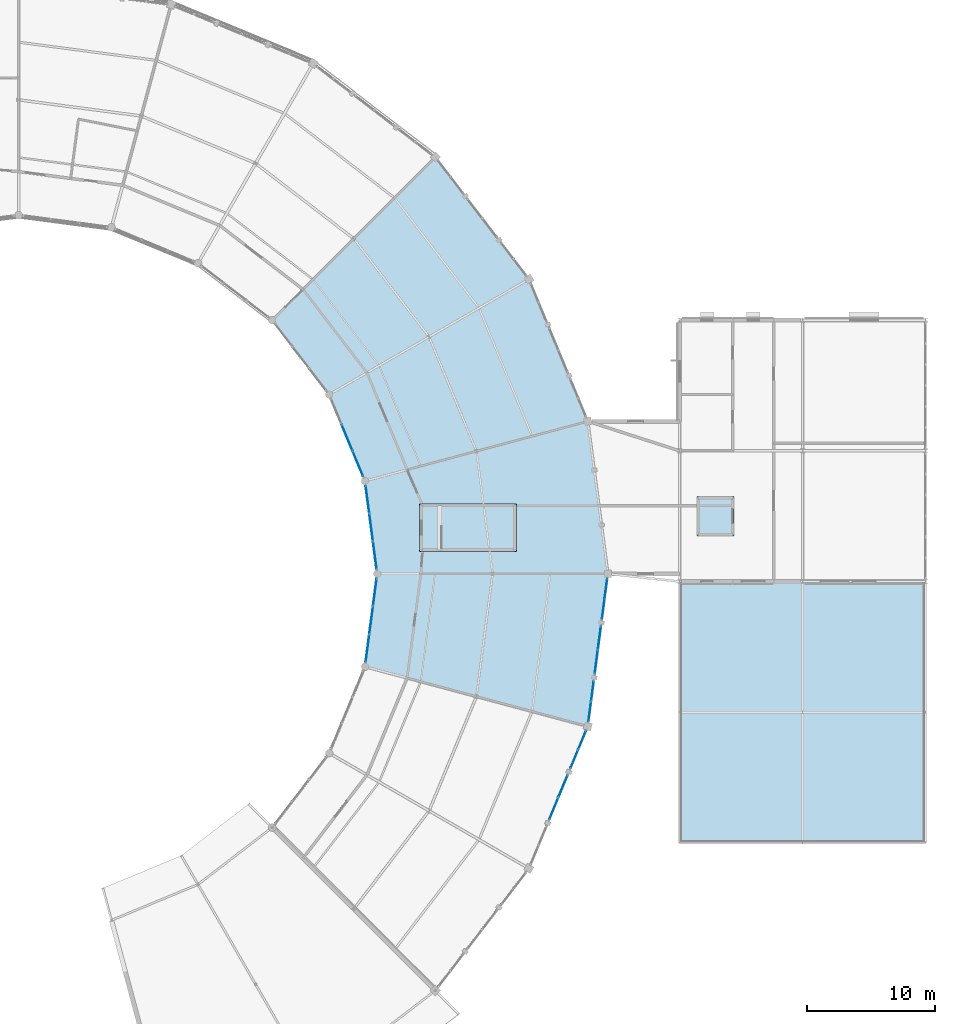
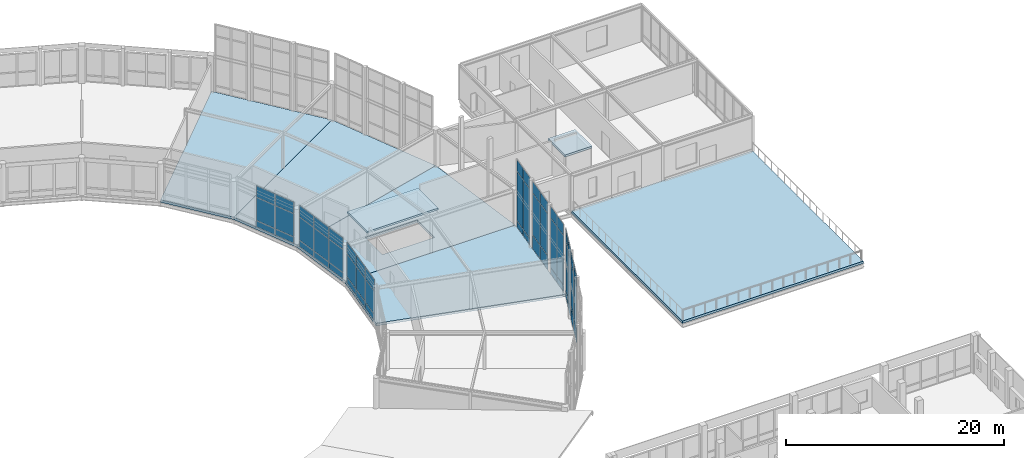
# One storey, part 145 of 185: 54 plates, 7 slabs, 8 elements without a shape of their own.
"""IFC4 building model written with IfcOpenShell, lengths in metres."""

from ifc_helpers import new_model, si_unit, direction, frame, origin, origin_2d, place, context, subcontext, project, spatial, polyline, rectangle, outline, extrude, material, layer, layer_set, type_object, element, aggregate, save


model = new_model("IFC4")

# Units and contexts
model_context = context("Model", 3, precision=1e-05, world=origin(), true_north=direction((0.0, 1.0)))
body_context = subcontext(model_context, "Body", "Model", "MODEL_VIEW")
ifc_project = project(units=[si_unit("LENGTHUNIT", "METRE"), si_unit("AREAUNIT", "SQUARE_METRE"), si_unit("VOLUMEUNIT", "CUBIC_METRE"), si_unit("PLANEANGLEUNIT", "RADIAN"), si_unit("MASSUNIT", "GRAM", prefix="KILO")], contexts=[model_context])

# Site, building, storey
site_placement = place(None, origin())
site = spatial("IfcSite", under=ifc_project, at=site_placement, CompositionType="ELEMENT")
building_placement = place(site_placement, origin())
building = spatial("IfcBuilding", under=site, at=building_placement, Name="Vondelvale Polytechnic", CompositionType="ELEMENT")
storey_placement = place(building_placement, frame((0.0, 0.0, 9.60009765625)))
storey = spatial("IfcBuildingStorey", under=building, at=storey_placement, Name="L02", CompositionType="ELEMENT", Elevation=9.60009765625)

# Curtain wall, plates
ifc_material_1 = material(Name="Anodised extruded aluminium 6063-T6", Category="aluminium")
curtain_wall_type_1 = type_object("IfcCurtainWallType", Name="CW-RING-CLOISTER", PredefinedType="NOTDEFINED", material=ifc_material_1)
curtain_wall_1_placement = place(storey_placement, origin())
curtain_wall_1 = element("IfcCurtainWall", 1, at=curtain_wall_1_placement, inside=storey, type_object=curtain_wall_type_1, Name="L02 architectural curtain wall CW-03-073", PredefinedType="NOTDEFINED")
ifc_material_2 = material(Name="Double-glazed low-E insulated architectural glass", Category="glass")
ifc_layer_1 = layer(ifc_material_2, 0.028076171875)
ifc_layer_set_1 = layer_set([ifc_layer_1], Name="CW-PANEL-GLAZED")
plate_type_1 = type_object("IfcPlateType", Name="CW-PANEL-GLAZED", PredefinedType="CURTAIN_PANEL", material=ifc_layer_set_1)
plate_1_placement = place(storey_placement, frame((129.81005859375, 73.4423828125, 0.7822265625), z_axis=(0.0, 0.0, 1.0), x_axis=(-0.130528007165, 0.99144462243, 0.0)))
plate_1 = element("IfcPlate", 2, at=plate_1_placement, type_object=plate_type_1, Name="CW-03-073 panel 1.2", PredefinedType="CURTAIN_PANEL", context=body_context, shape_type="SweptSolid", body=[
    extrude(rectangle(XDim=2.1123046875, YDim=0.028076171875, at=origin_2d()), origin(), (0.0, 0.0, 1.0), 2.548095703125),
])
plate_2_placement = place(storey_placement, frame((129.81005859375, 73.4423828125, 3.395751953125), z_axis=(0.0, 0.0, 1.0), x_axis=(-0.130528007165, 0.99144462243, 0.0)))
plate_2 = element("IfcPlate", 3, at=plate_2_placement, type_object=plate_type_1, Name="CW-03-073 panel 1.3", PredefinedType="CURTAIN_PANEL", context=body_context, shape_type="SweptSolid", body=[
    extrude(rectangle(XDim=2.1123046875, YDim=0.028076171875, at=origin_2d()), origin(), (0.0, 0.0, 1.0), 1.25244140625),
])
plate_3_placement = place(storey_placement, frame((129.52294921875, 75.62353515625, 0.7822265625), z_axis=(0.0, 0.0, 1.0), x_axis=(-0.130528007165, 0.99144462243, 0.0)))
plate_3 = element("IfcPlate", 4, at=plate_3_placement, type_object=plate_type_1, Name="CW-03-073 panel 2.2", PredefinedType="CURTAIN_PANEL", context=body_context, shape_type="SweptSolid", body=[
    extrude(rectangle(XDim=2.1474609375, YDim=0.028076171875, at=origin_2d()), origin(), (0.0, 0.0, 1.0), 2.548095703125),
])
plate_4_placement = place(storey_placement, frame((129.52294921875, 75.62353515625, 3.395751953125), z_axis=(0.0, 0.0, 1.0), x_axis=(-0.130528007165, 0.99144462243, 0.0)))
plate_4 = element("IfcPlate", 5, at=plate_4_placement, type_object=plate_type_1, Name="CW-03-073 panel 2.3", PredefinedType="CURTAIN_PANEL", context=body_context, shape_type="SweptSolid", body=[
    extrude(rectangle(XDim=2.1474609375, YDim=0.028076171875, at=origin_2d()), origin(), (0.0, 0.0, 1.0), 1.25244140625),
])
plate_5_placement = place(storey_placement, frame((129.23583984375, 77.804443359375, 0.7822265625), z_axis=(0.0, 0.0, 1.0), x_axis=(-0.130528007165, 0.99144462243, 0.0)))
plate_5 = element("IfcPlate", 6, at=plate_5_placement, type_object=plate_type_1, Name="CW-03-073 panel 3.2", PredefinedType="CURTAIN_PANEL", context=body_context, shape_type="SweptSolid", body=[
    extrude(rectangle(XDim=2.1123046875, YDim=0.028076171875, at=origin_2d()), origin(), (0.0, 0.0, 1.0), 2.548095703125),
])
plate_6_placement = place(storey_placement, frame((129.23583984375, 77.804443359375, 3.395751953125), z_axis=(0.0, 0.0, 1.0), x_axis=(-0.130528007165, 0.99144462243, 0.0)))
plate_6 = element("IfcPlate", 7, at=plate_6_placement, type_object=plate_type_1, Name="CW-03-073 panel 3.3", PredefinedType="CURTAIN_PANEL", context=body_context, shape_type="SweptSolid", body=[
    extrude(rectangle(XDim=2.1123046875, YDim=0.028076171875, at=origin_2d()), origin(), (0.0, 0.0, 1.0), 1.25244140625),
])

curtain_wall_2_placement = place(storey_placement, origin())
curtain_wall_2 = element("IfcCurtainWall", 8, at=curtain_wall_2_placement, inside=storey, type_object=curtain_wall_type_1, Name="L02 architectural curtain wall CW-03-081", PredefinedType="NOTDEFINED")
plate_7_placement = place(storey_placement, frame((128.48876953125, 80.591796875, 0.7822265625), z_axis=(0.0, 0.0, 1.0), x_axis=(-0.382678531697, 0.923881562419, 0.0)))
plate_7 = element("IfcPlate", 9, at=plate_7_placement, type_object=plate_type_1, Name="CW-03-081 panel 1.2", PredefinedType="CURTAIN_PANEL", context=body_context, shape_type="SweptSolid", body=[
    extrude(rectangle(XDim=2.111572265625, YDim=0.028076171875, at=origin_2d()), origin(), (0.0, 0.0, 1.0), 2.548095703125),
])
plate_8_placement = place(storey_placement, frame((128.48876953125, 80.591796875, 3.395751953125), z_axis=(0.0, 0.0, 1.0), x_axis=(-0.382678531697, 0.923881562419, 0.0)))
plate_8 = element("IfcPlate", 10, at=plate_8_placement, type_object=plate_type_1, Name="CW-03-081 panel 1.3", PredefinedType="CURTAIN_PANEL", context=body_context, shape_type="SweptSolid", body=[
    extrude(rectangle(XDim=2.111572265625, YDim=0.028076171875, at=origin_2d()), origin(), (0.0, 0.0, 1.0), 1.25244140625),
])
plate_9_placement = place(storey_placement, frame((127.647216796875, 82.62353515625, 0.7822265625), z_axis=(0.0, 0.0, 1.0), x_axis=(-0.382678531697, 0.923881562419, 0.0)))
plate_9 = element("IfcPlate", 11, at=plate_9_placement, type_object=plate_type_1, Name="CW-03-081 panel 2.2", PredefinedType="CURTAIN_PANEL", context=body_context, shape_type="SweptSolid", body=[
    extrude(rectangle(XDim=2.146484375, YDim=0.028076171875, at=origin_2d()), origin(), (0.0, 0.0, 1.0), 2.548095703125),
])
plate_10_placement = place(storey_placement, frame((127.647216796875, 82.62353515625, 3.395751953125), z_axis=(0.0, 0.0, 1.0), x_axis=(-0.382678531697, 0.923881562419, 0.0)))
plate_10 = element("IfcPlate", 12, at=plate_10_placement, type_object=plate_type_1, Name="CW-03-081 panel 2.3", PredefinedType="CURTAIN_PANEL", context=body_context, shape_type="SweptSolid", body=[
    extrude(rectangle(XDim=2.146484375, YDim=0.028076171875, at=origin_2d()), origin(), (0.0, 0.0, 1.0), 1.25244140625),
])

ifc_material_3 = material(Name="Glulam GL18 structural Tasmanian oak (fb = 42 MPa)", Category="wood")
curtain_wall_type_2 = type_object("IfcCurtainWallType", Name="CW-RING-OUTER", PredefinedType="NOTDEFINED", material=ifc_material_3)
curtain_wall_3_placement = place(storey_placement, origin())
curtain_wall_3 = element("IfcCurtainWall", 13, at=curtain_wall_3_placement, inside=storey, type_object=curtain_wall_type_2, Name="L02 architectural curtain wall CW-04-368", PredefinedType="NOTDEFINED")
plate_11_placement = place(storey_placement, frame((143.7763671875, 53.681396484375, 1.6298828125), z_axis=(0.0, 0.0, 1.0), x_axis=(0.382694599123, 0.92387490701, 0.0)))
plate_11 = element("IfcPlate", 14, at=plate_11_placement, type_object=plate_type_1, Name="CW-04-368 panel 1.2", PredefinedType="CURTAIN_PANEL", context=body_context, shape_type="SweptSolid", body=[
    extrude(rectangle(XDim=1.80908203125, YDim=0.028076171875, at=origin_2d()), origin(), (0.0, 0.0, 1.0), 4.6513671875),
])
plate_12_placement = place(storey_placement, frame((143.7763671875, 53.681396484375, 6.34130859375), z_axis=(0.0, 0.0, 1.0), x_axis=(0.382694599123, 0.92387490701, 0.0)))
plate_12 = element("IfcPlate", 15, at=plate_12_placement, type_object=plate_type_1, Name="CW-04-368 panel 1.3", PredefinedType="CURTAIN_PANEL", context=body_context, shape_type="SweptSolid", body=[
    extrude(rectangle(XDim=1.80908203125, YDim=0.028076171875, at=origin_2d()), origin(), (0.0, 0.0, 1.0), 1.260009765625),
])
plate_13_placement = place(storey_placement, frame((144.493408203125, 55.412841796875, 1.6298828125), z_axis=(0.0, 0.0, 1.0), x_axis=(0.382694599123, 0.92387490701, 0.0)))
plate_13 = element("IfcPlate", 16, at=plate_13_placement, type_object=plate_type_1, Name="CW-04-368 panel 2.2", PredefinedType="CURTAIN_PANEL", context=body_context, shape_type="SweptSolid", body=[
    extrude(rectangle(XDim=1.80908203125, YDim=0.028076171875, at=origin_2d()), origin(), (0.0, 0.0, 1.0), 4.6513671875),
])
plate_14_placement = place(storey_placement, frame((144.493408203125, 55.412841796875, 6.34130859375), z_axis=(0.0, 0.0, 1.0), x_axis=(0.382694599123, 0.92387490701, 0.0)))
plate_14 = element("IfcPlate", 17, at=plate_14_placement, type_object=plate_type_1, Name="CW-04-368 panel 2.3", PredefinedType="CURTAIN_PANEL", context=body_context, shape_type="SweptSolid", body=[
    extrude(rectangle(XDim=1.80908203125, YDim=0.028076171875, at=origin_2d()), origin(), (0.0, 0.0, 1.0), 1.260009765625),
])

curtain_wall_4_placement = place(storey_placement, origin())
curtain_wall_4 = element("IfcCurtainWall", 18, at=curtain_wall_4_placement, inside=storey, type_object=curtain_wall_type_2, Name="L02 architectural curtain wall CW-04-369", PredefinedType="NOTDEFINED")
plate_15_placement = place(storey_placement, frame((145.377197265625, 57.546630859375, 0.77978515625), z_axis=(0.0, 0.0, 1.0), x_axis=(0.382677394529, 0.923882033442, 0.0)))
plate_15 = element("IfcPlate", 19, at=plate_15_placement, type_object=plate_type_1, Name="CW-04-369 panel 1.2", PredefinedType="CURTAIN_PANEL", context=body_context, shape_type="SweptSolid", body=[
    extrude(rectangle(XDim=1.530029296875, YDim=0.028076171875, at=origin_2d()), origin(), (0.0, 0.0, 1.0), 5.50146484375),
])
plate_16_placement = place(storey_placement, frame((145.377197265625, 57.546630859375, 6.34130859375), z_axis=(0.0, 0.0, 1.0), x_axis=(0.382677394529, 0.923882033442, 0.0)))
plate_16 = element("IfcPlate", 20, at=plate_16_placement, type_object=plate_type_1, Name="CW-04-369 panel 1.3", PredefinedType="CURTAIN_PANEL", context=body_context, shape_type="SweptSolid", body=[
    extrude(rectangle(XDim=1.530029296875, YDim=0.028076171875, at=origin_2d()), origin(), (0.0, 0.0, 1.0), 1.260009765625),
])
plate_17_placement = place(storey_placement, frame((145.98779296875, 59.02001953125, 0.77978515625), z_axis=(0.0, 0.0, 1.0), x_axis=(0.382677394529, 0.923882033442, 0.0)))
plate_17 = element("IfcPlate", 21, at=plate_17_placement, type_object=plate_type_1, Name="CW-04-369 panel 2.2", PredefinedType="CURTAIN_PANEL", context=body_context, shape_type="SweptSolid", body=[
    extrude(rectangle(XDim=1.530029296875, YDim=0.028076171875, at=origin_2d()), origin(), (0.0, 0.0, 1.0), 5.50146484375),
])
plate_18_placement = place(storey_placement, frame((145.98779296875, 59.02001953125, 6.34130859375), z_axis=(0.0, 0.0, 1.0), x_axis=(0.382677394529, 0.923882033442, 0.0)))
plate_18 = element("IfcPlate", 22, at=plate_18_placement, type_object=plate_type_1, Name="CW-04-369 panel 2.3", PredefinedType="CURTAIN_PANEL", context=body_context, shape_type="SweptSolid", body=[
    extrude(rectangle(XDim=1.530029296875, YDim=0.028076171875, at=origin_2d()), origin(), (0.0, 0.0, 1.0), 1.260009765625),
])

curtain_wall_5_placement = place(storey_placement, origin())
curtain_wall_5 = element("IfcCurtainWall", 23, at=curtain_wall_5_placement, inside=storey, type_object=curtain_wall_type_1, Name="L02 architectural curtain wall CW-03-378", PredefinedType="NOTDEFINED")
plate_19_placement = place(storey_placement, frame((129.23583984375, 66.195556640625, 0.7822265625), z_axis=(0.0, 0.0, 1.0), x_axis=(0.130528007165, 0.99144462243, 0.0)))
plate_19 = element("IfcPlate", 24, at=plate_19_placement, type_object=plate_type_1, Name="CW-03-378 panel 1.2", PredefinedType="CURTAIN_PANEL", context=body_context, shape_type="SweptSolid", body=[
    extrude(rectangle(XDim=2.1123046875, YDim=0.028076171875, at=origin_2d()), origin(), (0.0, 0.0, 1.0), 2.548095703125),
])
plate_20_placement = place(storey_placement, frame((129.23583984375, 66.195556640625, 3.395751953125), z_axis=(0.0, 0.0, 1.0), x_axis=(0.130528007165, 0.99144462243, 0.0)))
plate_20 = element("IfcPlate", 25, at=plate_20_placement, type_object=plate_type_1, Name="CW-03-378 panel 1.3", PredefinedType="CURTAIN_PANEL", context=body_context, shape_type="SweptSolid", body=[
    extrude(rectangle(XDim=2.1123046875, YDim=0.028076171875, at=origin_2d()), origin(), (0.0, 0.0, 1.0), 1.25244140625),
])
plate_21_placement = place(storey_placement, frame((129.52294921875, 68.37646484375, 0.7822265625), z_axis=(0.0, 0.0, 1.0), x_axis=(0.130528007165, 0.99144462243, 0.0)))
plate_21 = element("IfcPlate", 26, at=plate_21_placement, type_object=plate_type_1, Name="CW-03-378 panel 2.2", PredefinedType="CURTAIN_PANEL", context=body_context, shape_type="SweptSolid", body=[
    extrude(rectangle(XDim=2.1474609375, YDim=0.028076171875, at=origin_2d()), origin(), (0.0, 0.0, 1.0), 2.548095703125),
])
plate_22_placement = place(storey_placement, frame((129.52294921875, 68.37646484375, 3.395751953125), z_axis=(0.0, 0.0, 1.0), x_axis=(0.130528007165, 0.99144462243, 0.0)))
plate_22 = element("IfcPlate", 27, at=plate_22_placement, type_object=plate_type_1, Name="CW-03-378 panel 2.3", PredefinedType="CURTAIN_PANEL", context=body_context, shape_type="SweptSolid", body=[
    extrude(rectangle(XDim=2.1474609375, YDim=0.028076171875, at=origin_2d()), origin(), (0.0, 0.0, 1.0), 1.25244140625),
])
plate_23_placement = place(storey_placement, frame((129.81005859375, 70.5576171875, 0.7822265625), z_axis=(0.0, 0.0, 1.0), x_axis=(0.130528007165, 0.99144462243, 0.0)))
plate_23 = element("IfcPlate", 28, at=plate_23_placement, type_object=plate_type_1, Name="CW-03-378 panel 3.2", PredefinedType="CURTAIN_PANEL", context=body_context, shape_type="SweptSolid", body=[
    extrude(rectangle(XDim=2.1123046875, YDim=0.028076171875, at=origin_2d()), origin(), (0.0, 0.0, 1.0), 2.548095703125),
])
plate_24_placement = place(storey_placement, frame((129.81005859375, 70.5576171875, 3.395751953125), z_axis=(0.0, 0.0, 1.0), x_axis=(0.130528007165, 0.99144462243, 0.0)))
plate_24 = element("IfcPlate", 29, at=plate_24_placement, type_object=plate_type_1, Name="CW-03-378 panel 3.3", PredefinedType="CURTAIN_PANEL", context=body_context, shape_type="SweptSolid", body=[
    extrude(rectangle(XDim=2.1123046875, YDim=0.028076171875, at=origin_2d()), origin(), (0.0, 0.0, 1.0), 1.25244140625),
])

curtain_wall_6_placement = place(storey_placement, origin())
curtain_wall_6 = element("IfcCurtainWall", 30, at=curtain_wall_6_placement, inside=storey, type_object=curtain_wall_type_2, Name="L02 architectural curtain wall CW-04-379", PredefinedType="NOTDEFINED")
plate_25_placement = place(storey_placement, frame((146.584228515625, 61.2470703125, 0.77978515625), z_axis=(0.0, 0.0, 1.0), x_axis=(0.130539547729, 0.991443102996, 0.0)))
plate_25 = element("IfcPlate", 31, at=plate_25_placement, type_object=plate_type_1, Name="CW-04-379 panel 1.2", PredefinedType="CURTAIN_PANEL", context=body_context, shape_type="SweptSolid", body=[
    extrude(rectangle(XDim=1.530029296875, YDim=0.028076171875, at=origin_2d()), origin(), (0.0, 0.0, 1.0), 5.50146484375),
])
plate_26_placement = place(storey_placement, frame((146.584228515625, 61.2470703125, 6.34130859375), z_axis=(0.0, 0.0, 1.0), x_axis=(0.130539547729, 0.991443102996, 0.0)))
plate_26 = element("IfcPlate", 32, at=plate_26_placement, type_object=plate_type_1, Name="CW-04-379 panel 1.3", PredefinedType="CURTAIN_PANEL", context=body_context, shape_type="SweptSolid", body=[
    extrude(rectangle(XDim=1.530029296875, YDim=0.028076171875, at=origin_2d()), origin(), (0.0, 0.0, 1.0), 1.260009765625),
])
plate_27_placement = place(storey_placement, frame((146.79248046875, 62.828369140625, 0.77978515625), z_axis=(0.0, 0.0, 1.0), x_axis=(0.130539547729, 0.991443102996, 0.0)))
plate_27 = element("IfcPlate", 33, at=plate_27_placement, type_object=plate_type_1, Name="CW-04-379 panel 2.2", PredefinedType="CURTAIN_PANEL", context=body_context, shape_type="SweptSolid", body=[
    extrude(rectangle(XDim=1.530029296875, YDim=0.028076171875, at=origin_2d()), origin(), (0.0, 0.0, 1.0), 5.50146484375),
])
plate_28_placement = place(storey_placement, frame((146.79248046875, 62.828369140625, 6.34130859375), z_axis=(0.0, 0.0, 1.0), x_axis=(0.130539547729, 0.991443102996, 0.0)))
plate_28 = element("IfcPlate", 34, at=plate_28_placement, type_object=plate_type_1, Name="CW-04-379 panel 2.3", PredefinedType="CURTAIN_PANEL", context=body_context, shape_type="SweptSolid", body=[
    extrude(rectangle(XDim=1.530029296875, YDim=0.028076171875, at=origin_2d()), origin(), (0.0, 0.0, 1.0), 1.260009765625),
])

curtain_wall_7_placement = place(storey_placement, origin())
curtain_wall_7 = element("IfcCurtainWall", 35, at=curtain_wall_7_placement, inside=storey, type_object=curtain_wall_type_2, Name="L02 architectural curtain wall CW-04-380", PredefinedType="NOTDEFINED")
plate_29_placement = place(storey_placement, frame((147.093994140625, 65.1181640625, 1.6298828125), z_axis=(0.0, 0.0, 1.0), x_axis=(0.130497251349, 0.991448671082, 0.0)))
plate_29 = element("IfcPlate", 36, at=plate_29_placement, type_object=plate_type_1, Name="CW-04-380 panel 1.2", PredefinedType="CURTAIN_PANEL", context=body_context, shape_type="SweptSolid", body=[
    extrude(rectangle(XDim=1.80908203125, YDim=0.028076171875, at=origin_2d()), origin(), (0.0, 0.0, 1.0), 4.6513671875),
])
plate_30_placement = place(storey_placement, frame((147.093994140625, 65.1181640625, 6.34130859375), z_axis=(0.0, 0.0, 1.0), x_axis=(0.130497251349, 0.991448671082, 0.0)))
plate_30 = element("IfcPlate", 37, at=plate_30_placement, type_object=plate_type_1, Name="CW-04-380 panel 1.3", PredefinedType="CURTAIN_PANEL", context=body_context, shape_type="SweptSolid", body=[
    extrude(rectangle(XDim=1.80908203125, YDim=0.028076171875, at=origin_2d()), origin(), (0.0, 0.0, 1.0), 1.260009765625),
])
plate_31_placement = place(storey_placement, frame((147.338623046875, 66.97607421875, 1.6298828125), z_axis=(0.0, 0.0, 1.0), x_axis=(0.130497251349, 0.991448671082, 0.0)))
plate_31 = element("IfcPlate", 38, at=plate_31_placement, type_object=plate_type_1, Name="CW-04-380 panel 2.2", PredefinedType="CURTAIN_PANEL", context=body_context, shape_type="SweptSolid", body=[
    extrude(rectangle(XDim=1.80908203125, YDim=0.028076171875, at=origin_2d()), origin(), (0.0, 0.0, 1.0), 4.6513671875),
])
plate_32_placement = place(storey_placement, frame((147.338623046875, 66.97607421875, 6.34130859375), z_axis=(0.0, 0.0, 1.0), x_axis=(0.130497251349, 0.991448671082, 0.0)))
plate_32 = element("IfcPlate", 39, at=plate_32_placement, type_object=plate_type_1, Name="CW-04-380 panel 2.3", PredefinedType="CURTAIN_PANEL", context=body_context, shape_type="SweptSolid", body=[
    extrude(rectangle(XDim=1.80908203125, YDim=0.028076171875, at=origin_2d()), origin(), (0.0, 0.0, 1.0), 1.260009765625),
])

curtain_wall_8_placement = place(storey_placement, origin())
curtain_wall_8 = element("IfcCurtainWall", 40, at=curtain_wall_8_placement, inside=storey, type_object=curtain_wall_type_2, Name="L02 architectural curtain wall CW-04-381", PredefinedType="NOTDEFINED")
plate_33_placement = place(storey_placement, frame((147.64013671875, 69.265869140625, 0.77978515625), z_axis=(0.0, 0.0, 1.0), x_axis=(0.130539547729, 0.991443102996, 0.0)))
plate_33 = element("IfcPlate", 41, at=plate_33_placement, type_object=plate_type_1, Name="CW-04-381 panel 1.2", PredefinedType="CURTAIN_PANEL", context=body_context, shape_type="SweptSolid", body=[
    extrude(rectangle(XDim=1.530029296875, YDim=0.028076171875, at=origin_2d()), origin(), (0.0, 0.0, 1.0), 5.50146484375),
])
plate_34_placement = place(storey_placement, frame((147.64013671875, 69.265869140625, 6.34130859375), z_axis=(0.0, 0.0, 1.0), x_axis=(0.130539547729, 0.991443102996, 0.0)))
plate_34 = element("IfcPlate", 42, at=plate_34_placement, type_object=plate_type_1, Name="CW-04-381 panel 1.3", PredefinedType="CURTAIN_PANEL", context=body_context, shape_type="SweptSolid", body=[
    extrude(rectangle(XDim=1.530029296875, YDim=0.028076171875, at=origin_2d()), origin(), (0.0, 0.0, 1.0), 1.260009765625),
])
plate_35_placement = place(storey_placement, frame((147.84814453125, 70.84716796875, 0.77978515625), z_axis=(0.0, 0.0, 1.0), x_axis=(0.130539547729, 0.991443102996, 0.0)))
plate_35 = element("IfcPlate", 43, at=plate_35_placement, type_object=plate_type_1, Name="CW-04-381 panel 2.2", PredefinedType="CURTAIN_PANEL", context=body_context, shape_type="SweptSolid", body=[
    extrude(rectangle(XDim=1.530029296875, YDim=0.028076171875, at=origin_2d()), origin(), (0.0, 0.0, 1.0), 5.50146484375),
])
plate_36_placement = place(storey_placement, frame((147.84814453125, 70.84716796875, 6.34130859375), z_axis=(0.0, 0.0, 1.0), x_axis=(0.130539547729, 0.991443102996, 0.0)))
plate_36 = element("IfcPlate", 44, at=plate_36_placement, type_object=plate_type_1, Name="CW-04-381 panel 2.3", PredefinedType="CURTAIN_PANEL", context=body_context, shape_type="SweptSolid", body=[
    extrude(rectangle(XDim=1.530029296875, YDim=0.028076171875, at=origin_2d()), origin(), (0.0, 0.0, 1.0), 1.260009765625),
])

# Plate
ifc_material_4 = material(Name="Engineered Tasmanian oak studio and bridge joinery")
ifc_layer_2 = layer(ifc_material_4, 0.0419921875)
ifc_layer_set_2 = layer_set([ifc_layer_2], Name="CW-PANEL-OAK")
plate_type_2 = type_object("IfcPlateType", Name="CW-PANEL-OAK", PredefinedType="CURTAIN_PANEL", material=ifc_layer_set_2)
plate_37_placement = place(storey_placement, frame((129.81005859375, 73.4423828125, 0.06494140625), z_axis=(0.0, 0.0, 1.0), x_axis=(-0.130528007165, 0.99144462243, 0.0)))
plate_37 = element("IfcPlate", 45, at=plate_37_placement, type_object=plate_type_2, Name="CW-03-073 panel 1.1", PredefinedType="CURTAIN_PANEL", context=body_context, shape_type="SweptSolid", body=[
    extrude(rectangle(XDim=2.1123046875, YDim=0.0419921875, at=origin_2d()), origin(), (0.0, 0.0, 1.0), 0.652587890625),
])

plate_38_placement = place(storey_placement, frame((129.52294921875, 75.62353515625, 0.06494140625), z_axis=(0.0, 0.0, 1.0), x_axis=(-0.130528007165, 0.99144462243, 0.0)))
plate_38 = element("IfcPlate", 46, at=plate_38_placement, type_object=plate_type_2, Name="CW-03-073 panel 2.1", PredefinedType="CURTAIN_PANEL", context=body_context, shape_type="SweptSolid", body=[
    extrude(rectangle(XDim=2.1474609375, YDim=0.0419921875, at=origin_2d()), origin(), (0.0, 0.0, 1.0), 0.652587890625),
])

plate_39_placement = place(storey_placement, frame((129.23583984375, 77.804443359375, 0.06494140625), z_axis=(0.0, 0.0, 1.0), x_axis=(-0.130528007165, 0.99144462243, 0.0)))
plate_39 = element("IfcPlate", 47, at=plate_39_placement, type_object=plate_type_2, Name="CW-03-073 panel 3.1", PredefinedType="CURTAIN_PANEL", context=body_context, shape_type="SweptSolid", body=[
    extrude(rectangle(XDim=2.1123046875, YDim=0.0419921875, at=origin_2d()), origin(), (0.0, 0.0, 1.0), 0.652587890625),
])

aggregate(curtain_wall_1, [plate_37, plate_1, plate_2, plate_38, plate_3, plate_4, plate_39, plate_5, plate_6])

plate_40_placement = place(storey_placement, frame((128.48876953125, 80.591796875, 0.06494140625), z_axis=(0.0, 0.0, 1.0), x_axis=(-0.382678531697, 0.923881562419, 0.0)))
plate_40 = element("IfcPlate", 48, at=plate_40_placement, type_object=plate_type_2, Name="CW-03-081 panel 1.1", PredefinedType="CURTAIN_PANEL", context=body_context, shape_type="SweptSolid", body=[
    extrude(rectangle(XDim=2.111572265625, YDim=0.0419921875, at=origin_2d()), origin(), (0.0, 0.0, 1.0), 0.652587890625),
])

plate_41_placement = place(storey_placement, frame((127.647216796875, 82.62353515625, 0.06494140625), z_axis=(0.0, 0.0, 1.0), x_axis=(-0.382678531697, 0.923881562419, 0.0)))
plate_41 = element("IfcPlate", 49, at=plate_41_placement, type_object=plate_type_2, Name="CW-03-081 panel 2.1", PredefinedType="CURTAIN_PANEL", context=body_context, shape_type="SweptSolid", body=[
    extrude(rectangle(XDim=2.146484375, YDim=0.0419921875, at=origin_2d()), origin(), (0.0, 0.0, 1.0), 0.652587890625),
])

aggregate(curtain_wall_2, [plate_40, plate_7, plate_8, plate_41, plate_9, plate_10])

plate_42_placement = place(storey_placement, frame((143.7763671875, 53.681396484375, 0.06005859375), z_axis=(0.0, 0.0, 1.0), x_axis=(0.382694599123, 0.92387490701, 0.0)))
plate_42 = element("IfcPlate", 50, at=plate_42_placement, type_object=plate_type_2, Name="CW-04-368 panel 1.1", PredefinedType="CURTAIN_PANEL", context=body_context, shape_type="SweptSolid", body=[
    extrude(rectangle(XDim=1.80908203125, YDim=0.0419921875, at=origin_2d()), origin(), (0.0, 0.0, 1.0), 1.510009765625),
])

plate_43_placement = place(storey_placement, frame((144.493408203125, 55.412841796875, 0.06005859375), z_axis=(0.0, 0.0, 1.0), x_axis=(0.382694599123, 0.92387490701, 0.0)))
plate_43 = element("IfcPlate", 51, at=plate_43_placement, type_object=plate_type_2, Name="CW-04-368 panel 2.1", PredefinedType="CURTAIN_PANEL", context=body_context, shape_type="SweptSolid", body=[
    extrude(rectangle(XDim=1.80908203125, YDim=0.0419921875, at=origin_2d()), origin(), (0.0, 0.0, 1.0), 1.510009765625),
])

aggregate(curtain_wall_3, [plate_42, plate_11, plate_12, plate_43, plate_13, plate_14])

plate_44_placement = place(storey_placement, frame((129.23583984375, 66.195556640625, 0.06494140625), z_axis=(0.0, 0.0, 1.0), x_axis=(0.130528007165, 0.99144462243, 0.0)))
plate_44 = element("IfcPlate", 52, at=plate_44_placement, type_object=plate_type_2, Name="CW-03-378 panel 1.1", PredefinedType="CURTAIN_PANEL", context=body_context, shape_type="SweptSolid", body=[
    extrude(rectangle(XDim=2.1123046875, YDim=0.0419921875, at=origin_2d()), origin(), (0.0, 0.0, 1.0), 0.652587890625),
])

plate_45_placement = place(storey_placement, frame((129.52294921875, 68.37646484375, 0.06494140625), z_axis=(0.0, 0.0, 1.0), x_axis=(0.130528007165, 0.99144462243, 0.0)))
plate_45 = element("IfcPlate", 53, at=plate_45_placement, type_object=plate_type_2, Name="CW-03-378 panel 2.1", PredefinedType="CURTAIN_PANEL", context=body_context, shape_type="SweptSolid", body=[
    extrude(rectangle(XDim=2.1474609375, YDim=0.0419921875, at=origin_2d()), origin(), (0.0, 0.0, 1.0), 0.652587890625),
])

plate_46_placement = place(storey_placement, frame((129.81005859375, 70.5576171875, 0.06494140625), z_axis=(0.0, 0.0, 1.0), x_axis=(0.130528007165, 0.99144462243, 0.0)))
plate_46 = element("IfcPlate", 54, at=plate_46_placement, type_object=plate_type_2, Name="CW-03-378 panel 3.1", PredefinedType="CURTAIN_PANEL", context=body_context, shape_type="SweptSolid", body=[
    extrude(rectangle(XDim=2.1123046875, YDim=0.0419921875, at=origin_2d()), origin(), (0.0, 0.0, 1.0), 0.652587890625),
])

aggregate(curtain_wall_5, [plate_44, plate_19, plate_20, plate_45, plate_21, plate_22, plate_46, plate_23, plate_24])

plate_47_placement = place(storey_placement, frame((147.093994140625, 65.1181640625, 0.06005859375), z_axis=(0.0, 0.0, 1.0), x_axis=(0.130497251349, 0.991448671082, 0.0)))
plate_47 = element("IfcPlate", 55, at=plate_47_placement, type_object=plate_type_2, Name="CW-04-380 panel 1.1", PredefinedType="CURTAIN_PANEL", context=body_context, shape_type="SweptSolid", body=[
    extrude(rectangle(XDim=1.80908203125, YDim=0.0419921875, at=origin_2d()), origin(), (0.0, 0.0, 1.0), 1.510009765625),
])

plate_48_placement = place(storey_placement, frame((147.338623046875, 66.97607421875, 0.06005859375), z_axis=(0.0, 0.0, 1.0), x_axis=(0.130497251349, 0.991448671082, 0.0)))
plate_48 = element("IfcPlate", 56, at=plate_48_placement, type_object=plate_type_2, Name="CW-04-380 panel 2.1", PredefinedType="CURTAIN_PANEL", context=body_context, shape_type="SweptSolid", body=[
    extrude(rectangle(XDim=1.80908203125, YDim=0.0419921875, at=origin_2d()), origin(), (0.0, 0.0, 1.0), 1.510009765625),
])

aggregate(curtain_wall_7, [plate_47, plate_29, plate_30, plate_48, plate_31, plate_32])

ifc_material_5 = material(Name="Kiln-fired architectural terracotta", Category="masonry")
ifc_layer_3 = layer(ifc_material_5, 0.035888671875)
ifc_layer_set_3 = layer_set([ifc_layer_3], Name="CW-PANEL-SPANDREL")
plate_type_3 = type_object("IfcPlateType", Name="CW-PANEL-SPANDREL", PredefinedType="CURTAIN_PANEL", material=ifc_layer_set_3)
plate_49_placement = place(storey_placement, frame((145.377197265625, 57.546630859375, 0.06005859375), z_axis=(0.0, 0.0, 1.0), x_axis=(0.382677394529, 0.923882033442, 0.0)))
plate_49 = element("IfcPlate", 57, at=plate_49_placement, type_object=plate_type_3, Name="CW-04-369 panel 1.1", PredefinedType="CURTAIN_PANEL", context=body_context, shape_type="SweptSolid", body=[
    extrude(rectangle(XDim=1.530029296875, YDim=0.035888671875, at=origin_2d()), origin(), (0.0, 0.0, 1.0), 0.659912109375),
])

plate_50_placement = place(storey_placement, frame((145.98779296875, 59.02001953125, 0.06005859375), z_axis=(0.0, 0.0, 1.0), x_axis=(0.382677394529, 0.923882033442, 0.0)))
plate_50 = element("IfcPlate", 58, at=plate_50_placement, type_object=plate_type_3, Name="CW-04-369 panel 2.1", PredefinedType="CURTAIN_PANEL", context=body_context, shape_type="SweptSolid", body=[
    extrude(rectangle(XDim=1.530029296875, YDim=0.035888671875, at=origin_2d()), origin(), (0.0, 0.0, 1.0), 0.659912109375),
])

aggregate(curtain_wall_4, [plate_49, plate_15, plate_16, plate_50, plate_17, plate_18])

plate_51_placement = place(storey_placement, frame((146.584228515625, 61.2470703125, 0.06005859375), z_axis=(0.0, 0.0, 1.0), x_axis=(0.130539547729, 0.991443102996, 0.0)))
plate_51 = element("IfcPlate", 59, at=plate_51_placement, type_object=plate_type_3, Name="CW-04-379 panel 1.1", PredefinedType="CURTAIN_PANEL", context=body_context, shape_type="SweptSolid", body=[
    extrude(rectangle(XDim=1.530029296875, YDim=0.035888671875, at=origin_2d()), origin(), (0.0, 0.0, 1.0), 0.659912109375),
])

plate_52_placement = place(storey_placement, frame((146.79248046875, 62.828369140625, 0.06005859375), z_axis=(0.0, 0.0, 1.0), x_axis=(0.130539547729, 0.991443102996, 0.0)))
plate_52 = element("IfcPlate", 60, at=plate_52_placement, type_object=plate_type_3, Name="CW-04-379 panel 2.1", PredefinedType="CURTAIN_PANEL", context=body_context, shape_type="SweptSolid", body=[
    extrude(rectangle(XDim=1.530029296875, YDim=0.035888671875, at=origin_2d()), origin(), (0.0, 0.0, 1.0), 0.659912109375),
])

aggregate(curtain_wall_6, [plate_51, plate_25, plate_26, plate_52, plate_27, plate_28])

plate_53_placement = place(storey_placement, frame((147.64013671875, 69.265869140625, 0.06005859375), z_axis=(0.0, 0.0, 1.0), x_axis=(0.130539547729, 0.991443102996, 0.0)))
plate_53 = element("IfcPlate", 61, at=plate_53_placement, type_object=plate_type_3, Name="CW-04-381 panel 1.1", PredefinedType="CURTAIN_PANEL", context=body_context, shape_type="SweptSolid", body=[
    extrude(rectangle(XDim=1.530029296875, YDim=0.035888671875, at=origin_2d()), origin(), (0.0, 0.0, 1.0), 0.659912109375),
])

plate_54_placement = place(storey_placement, frame((147.84814453125, 70.84716796875, 0.06005859375), z_axis=(0.0, 0.0, 1.0), x_axis=(0.130539547729, 0.991443102996, 0.0)))
plate_54 = element("IfcPlate", 62, at=plate_54_placement, type_object=plate_type_3, Name="CW-04-381 panel 2.1", PredefinedType="CURTAIN_PANEL", context=body_context, shape_type="SweptSolid", body=[
    extrude(rectangle(XDim=1.530029296875, YDim=0.035888671875, at=origin_2d()), origin(), (0.0, 0.0, 1.0), 0.659912109375),
])

aggregate(curtain_wall_8, [plate_53, plate_33, plate_34, plate_54, plate_35, plate_36])

# Slabs
ifc_material_6 = material(Name="Concrete N40 (f'c = 40 MPa)", Category="concrete")
ifc_layer_4 = layer(ifc_material_6, 0.280029296875)
ifc_layer_set_4 = layer_set([ifc_layer_4], Name="SLB-LIBRARY-280")
slab_type_1 = type_object("IfcSlabType", Name="SLB-LIBRARY-280", PredefinedType="FLOOR", material=ifc_layer_set_4)
slab_1_placement = place(storey_placement, frame((0.0, 0.0, -0.280029296875)))
element("IfcSlab", 63, at=slab_1_placement, inside=storey, type_object=slab_type_1, Name="L02 circular ring sector 00 floor slab", PredefinedType="FLOOR", context=body_context, shape_type="SweptSolid", body=[
    extrude(outline(polyline([(130.0, 72.0), (148.0, 72.0), (146.4326171875, 83.90576171875), (129.0458984375, 79.246826171875), (130.0, 72.0)]), holes=[polyline([(135.050048828125, 74.0), (140.60009765625, 74.0), (140.60009765625, 77.199951171875), (135.050048828125, 77.199951171875), (135.050048828125, 74.0)])]), origin(), (0.0, 0.0, 1.0), 0.280029296875),
])
slab_2_placement = place(storey_placement, frame((0.0, 0.0, -0.280029296875)))
element("IfcSlab", 64, at=slab_2_placement, inside=storey, type_object=slab_type_1, Name="L02 circular ring sector 01 floor slab", PredefinedType="FLOOR", context=body_context, shape_type="SweptSolid", body=[
    extrude(outline(polyline([(129.0458984375, 79.246826171875), (146.4326171875, 83.90576171875), (141.837158203125, 95.0), (126.248779296875, 86.0), (129.0458984375, 79.246826171875)])), origin(), (0.0, 0.0, 1.0), 0.280029296875),
])
slab_3_placement = place(storey_placement, frame((0.0, 0.0, -0.280029296875)))
element("IfcSlab", 65, at=slab_3_placement, inside=storey, type_object=slab_type_1, Name="L02 circular ring sector 02 floor slab", PredefinedType="FLOOR", context=body_context, shape_type="SweptSolid", body=[
    extrude(outline(polyline([(126.248779296875, 86.0), (141.837158203125, 95.0), (134.52685546875, 104.52685546875), (121.799072265625, 91.799072265625), (126.248779296875, 86.0)])), origin(), (0.0, 0.0, 1.0), 0.280029296875),
])
slab_4_placement = place(storey_placement, frame((0.0, 0.0, -0.280029296875)))
element("IfcSlab", 66, at=slab_4_placement, inside=storey, type_object=slab_type_1, Name="L02 circular ring sector 23 floor slab", PredefinedType="FLOOR", context=body_context, shape_type="SweptSolid", body=[
    extrude(outline(polyline([(129.0458984375, 64.753173828125), (146.4326171875, 60.09423828125), (148.0, 72.0), (130.0, 72.0), (129.0458984375, 64.753173828125)])), origin(), (0.0, 0.0, 1.0), 0.280029296875),
])
ifc_layer_5 = layer(ifc_material_6, 0.199951171875)
ifc_layer_set_5 = layer_set([ifc_layer_5], Name="SLB-ROOF-200")
slab_type_2 = type_object("IfcSlabType", Name="SLB-ROOF-200", PredefinedType="ROOF", material=ifc_layer_set_5)
slab_5_placement = place(storey_placement, frame((0.0, 0.0, 3.14990234375)))
element("IfcSlab", 67, at=slab_5_placement, inside=storey, type_object=slab_type_2, Name="ST-08 stair bulkhead roof slab", PredefinedType="ROOF", context=body_context, shape_type="SweptSolid", body=[
    extrude(outline(polyline([(133.300048828125, 73.75), (140.85009765625, 73.75), (140.85009765625, 77.449951171875), (133.300048828125, 77.449951171875), (133.300048828125, 73.75)])), origin(), (0.0, 0.0, 1.0), 0.199951171875),
])
slab_6_placement = place(storey_placement, frame((0.0, 0.0, 3.39990234375)))
element("IfcSlab", 68, at=slab_6_placement, inside=storey, type_object=slab_type_2, Name="PL-04 lift shaft overrun cap slab", PredefinedType="ROOF", context=body_context, shape_type="SweptSolid", body=[
    extrude(outline(polyline([(154.949951171875, 74.949951171875), (157.85009765625, 74.949951171875), (157.85009765625, 78.050048828125), (154.949951171875, 78.050048828125), (154.949951171875, 74.949951171875)])), origin(), (0.0, 0.0, 1.0), 0.219970703125),
])
ifc_layer_6 = layer(ifc_material_6, 0.260009765625)
ifc_layer_set_6 = layer_set([ifc_layer_6], Name="SLB-TERRACE-260")
slab_type_3 = type_object("IfcSlabType", Name="SLB-TERRACE-260", PredefinedType="FLOOR", material=ifc_layer_set_6)
slab_7_placement = place(storey_placement, frame((0.0, 0.0, -0.260009765625)))
element("IfcSlab", 69, at=slab_7_placement, inside=storey, type_object=slab_type_3, Name="L02 Refectory Roof Garden slab", PredefinedType="FLOOR", context=body_context, shape_type="SweptSolid", body=[
    extrude(outline(polyline([(153.60009765625, 51.0), (172.800048828125, 51.0), (172.800048828125, 71.39990234375), (153.60009765625, 71.39990234375), (153.60009765625, 51.0)])), origin(), (0.0, 0.0, 1.0), 0.260009765625),
])

save(model, "model.ifc")
